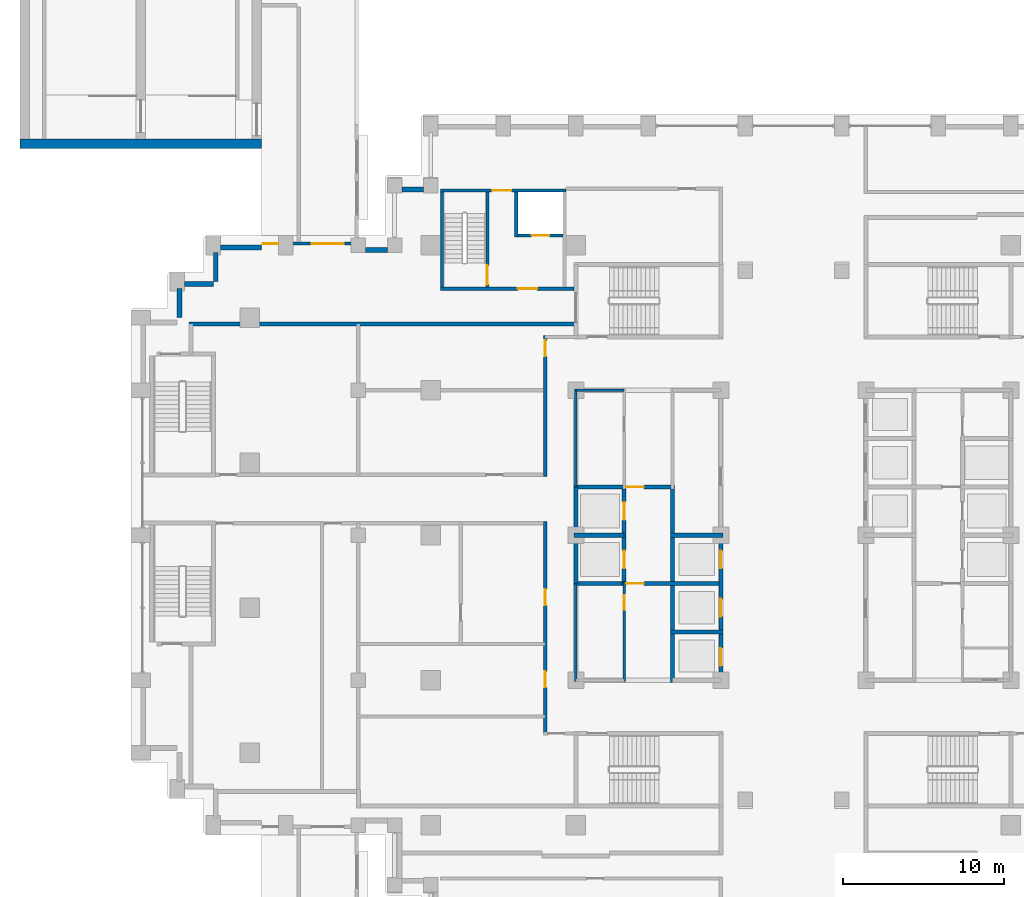
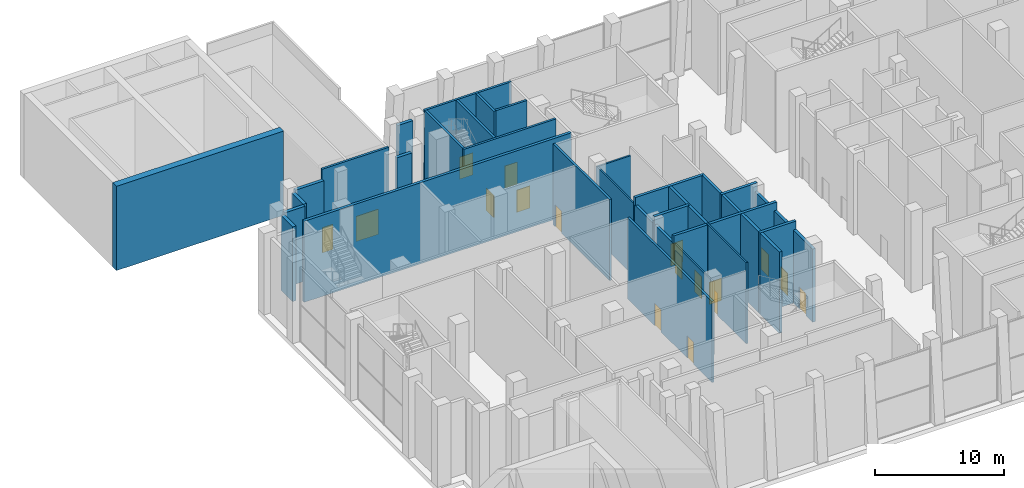
# One storey, part 12 of 24: 30 walls, 17 doors, 17 openings.
"""IFC4 building model written with IfcOpenShell, lengths in metres."""

from ifc_helpers import new_model, si_unit, direction, frame, frame_2d, origin, place, context, subcontext, project, spatial, rectangle, extrude, material, layer, layer_set, type_object, element, fill, save


model = new_model("IFC4")

# Units and contexts
model_context = context("Model", 3, precision=1e-05, world=origin(), true_north=direction((0.0, 1.0)))
body_context = subcontext(model_context, "Body", "Model", "MODEL_VIEW")
ifc_project = project(units=[si_unit("LENGTHUNIT", "METRE"), si_unit("AREAUNIT", "SQUARE_METRE"), si_unit("VOLUMEUNIT", "CUBIC_METRE"), si_unit("PLANEANGLEUNIT", "RADIAN"), si_unit("MASSUNIT", "GRAM", prefix="KILO")], contexts=[model_context])

# Site, building, storey
site_placement = place(None, origin())
site = spatial("IfcSite", under=ifc_project, at=site_placement, CompositionType="ELEMENT")
building_placement = place(site_placement, origin())
building = spatial("IfcBuilding", under=site, at=building_placement, Name="Corbelhall Arena Tower", CompositionType="ELEMENT")
storey_placement = place(building_placement, frame((0.0, 0.0, 60.0)))
storey = spatial("IfcBuildingStorey", under=building, at=storey_placement, Name="L08", CompositionType="ELEMENT", Elevation=60.0)

# Wall
ifc_material_1 = material(Name="Concrete C80/95", Category="concrete")
ifc_layer_1 = layer(ifc_material_1, 0.60009765625)
ifc_layer_set_1 = layer_set([ifc_layer_1], Name="AR-CORE-WALL-L08")
wall_type_1 = type_object("IfcWallType", Name="AR-CORE-WALL-L08", PredefinedType="SHEAR", material=ifc_layer_set_1)
wall_1_placement = place(storey_placement, frame((-48.0, 24.300048828125, 0.0), z_axis=(0.0, 0.0, 1.0), x_axis=(1.0, 0.0, 0.0)))
element("IfcWall", 1, at=wall_1_placement, inside=storey, type_object=wall_type_1, Name="Core NW wall", PredefinedType="SHEAR", context=body_context, shape_type="SweptSolid", body=[
    extrude(rectangle(XDim=15.0, YDim=0.60009765625, at=frame_2d((7.5, 0.0))), origin(), (0.0, 0.0, 1.0), 8.0),
])

# Wall, openings, doors
ifc_material_2 = material(Name="Reinforced concrete C40/50", Category="concrete")
ifc_layer_2 = layer(ifc_material_2, 0.199951171875)
ifc_layer_set_2 = layer_set([ifc_layer_2], Name="AR-LINK-WALL")
wall_type_2 = type_object("IfcWallType", Name="AR-LINK-WALL", PredefinedType="SOLIDWALL", material=ifc_layer_set_2)
wall_2_placement = place(storey_placement, frame((-33.0, 18.10009765625, 0.0), z_axis=(0.0, 0.0, 1.0), x_axis=(1.0, 0.0, 0.0)))
wall_2 = element("IfcWall", 2, at=wall_2_placement, inside=storey, type_object=wall_type_2, Name="Gallery LK2 end wall", PredefinedType="SOLIDWALL", context=body_context, shape_type="SweptSolid", body=[
    extrude(rectangle(XDim=6.0, YDim=0.199951171875, at=frame_2d((3.0, 0.0))), origin(), (0.0, 0.0, 1.0), 8.0),
])
opening_1_placement = place(wall_2_placement, frame((3.10009765625, 0.0, 0.0)))
opening_1 = element("IfcOpeningElement", 3, at=opening_1_placement, cuts=wall_2, Name="Opening DA0299", PredefinedType="OPENING", context=body_context, shape_type="SweptSolid", body=[
    extrude(rectangle(XDim=2.0, YDim=2.39990234375, at=frame_2d((1.0, 1.199951171875))), frame((0.0, 0.10009765625, 0.0), z_axis=(0.0, -1.0, 0.0), x_axis=(1.0, 0.0, 0.0)), (0.0, 0.0, 1.0), 0.199951171875),
])
opening_2_placement = place(wall_2_placement, frame((0.070068359375, 0.0, 0.0)))
opening_2 = element("IfcOpeningElement", 4, at=opening_2_placement, cuts=wall_2, Name="Opening DA0300", PredefinedType="OPENING", context=body_context, shape_type="SweptSolid", body=[
    extrude(rectangle(XDim=0.949951171875, YDim=2.39990234375, at=frame_2d((0.47509765625, 1.199951171875))), frame((0.0, 0.10009765625, 0.0), z_axis=(0.0, -1.0, 0.0), x_axis=(1.0, 0.0, 0.0)), (0.0, 0.0, 1.0), 0.199951171875),
])
ifc_material_3 = material(Name="Steel and glass", Category="steel")
door_type_1 = type_object("IfcDoorType", Name="AR-EXIT-DOOR", OperationType="DOUBLE_DOOR_SINGLE_SWING", PredefinedType="DOOR", material=ifc_material_3)
door_1_placement = place(opening_1_placement, frame((2.0, 0.0, 0.0), z_axis=(0.0, 0.0, 1.0), x_axis=(-1.0, 0.0, 0.0)))
door_1 = element("IfcDoor", 5, at=door_1_placement, inside=storey, type_object=door_type_1, Name="Gallery LK2 public door", OperationType="DOUBLE_DOOR_SINGLE_SWING", OverallHeight=2.39990234375, OverallWidth=2.0, PredefinedType="DOOR", context=body_context, shape_type="SweptSolid", body=[
    extrude(rectangle(XDim=2.0, YDim=2.39990234375, at=frame_2d((1.0, 1.199951171875))), frame((0.0, 0.02490234375, 0.0), z_axis=(0.0, -1.0, 0.0), x_axis=(1.0, 0.0, 0.0)), (0.0, 0.0, 1.0), 0.050048828125),
])
fill(opening_1, door_1)
ifc_material_4 = material(Name="Steel door set", Category="steel")
door_type_2 = type_object("IfcDoorType", Name="AR-EXIT-DOOR-1", OperationType="SINGLE_SWING_LEFT", PredefinedType="DOOR", material=ifc_material_4)
door_2_placement = place(opening_2_placement, frame((0.949951171875, 0.0, 0.0), z_axis=(0.0, 0.0, 1.0), x_axis=(-1.0, 0.0, 0.0)))
door_2 = element("IfcDoor", 6, at=door_2_placement, inside=storey, type_object=door_type_2, Name="Gallery LK2 exit door", OperationType="SINGLE_SWING_LEFT", OverallHeight=2.39990234375, OverallWidth=0.949951171875, PredefinedType="DOOR", context=body_context, shape_type="SweptSolid", body=[
    extrude(rectangle(XDim=0.949951171875, YDim=2.39990234375, at=frame_2d((0.47509765625, 1.199951171875))), frame((0.0, 0.02490234375, 0.0), z_axis=(0.0, -1.0, 0.0), x_axis=(1.0, 0.0, 0.0)), (0.0, 0.0, 1.0), 0.050048828125),
])
fill(opening_2, door_2)

# Walls
ifc_material_5 = material(Name="Precast concrete C40/50 with granite facing", Category="masonry")
ifc_layer_3 = layer(ifc_material_5, 0.300048828125)
ifc_layer_set_3 = layer_set([ifc_layer_3], Name="EV-IW1 Infill panel 300")
wall_type_3 = type_object("IfcWallType", Name="EV-IW1 Infill panel 300", PredefinedType="SOLIDWALL", material=ifc_layer_set_3)
for number, where, z_axis, x_axis, name in (
    (7, (-35.85009765625, 17.550048828125, 0.0), (0.0, 0.0, 1.0), (0.0, -1.0, 0.0), "Infill panel IW1"),
    (8, (-37.800048828125, 15.60009765625, 0.0), (0.0, 0.0, 1.0), (1.0, 0.0, 0.0), "Infill panel IW1"),
    (9, (-38.10009765625, 15.300048828125, 0.0), (0.0, 0.0, 1.0), (0.0, -1.0, 0.0), "Infill panel IW1"),
):
    element("IfcWall", number, at=place(storey_placement, frame(where, z_axis=z_axis, x_axis=x_axis)), inside=storey, type_object=wall_type_3, Name=name, PredefinedType="SOLIDWALL", context=body_context, shape_type="SweptSolid", body=[
        extrude(rectangle(XDim=1.800048828125, YDim=0.300048828125, at=frame_2d((0.89990234375, 0.0))), origin(), (0.0, 0.0, 1.0), 7.10009765625),
    ])
for number, where, z_axis, x_axis, name in (
    (10, (-22.949951171875, 21.449951171875, 0.0), (0.0, 0.0, 1.0), (-1.0, 0.0, 0.0), "Infill panel IW1"),
    (11, (-25.199951171875, 17.699951171875, 0.0), (0.0, 0.0, 1.0), (-1.0, 0.0, 0.0), "Infill panel IW1"),
):
    element("IfcWall", number, at=place(storey_placement, frame(where, z_axis=z_axis, x_axis=x_axis)), inside=storey, type_object=wall_type_3, Name=name, PredefinedType="SOLIDWALL", context=body_context, shape_type="SweptSolid", body=[
        extrude(rectangle(XDim=1.35009765625, YDim=0.300048828125, at=frame_2d((0.675048828125, 0.0))), origin(), (0.0, 0.0, 1.0), 7.10009765625),
    ])
wall_3_placement = place(storey_placement, frame((-33.0, 17.85009765625, 0.0), z_axis=(0.0, 0.0, 1.0), x_axis=(-1.0, 0.0, 0.0)))
element("IfcWall", 12, at=wall_3_placement, inside=storey, type_object=wall_type_3, Name="Infill panel IW1", PredefinedType="SOLIDWALL", context=body_context, shape_type="SweptSolid", body=[
    extrude(rectangle(XDim=2.550048828125, YDim=0.300048828125, at=frame_2d((1.27490234375, 0.0))), origin(), (0.0, 0.0, 1.0), 7.10009765625),
])

# Wall, openings, doors
ifc_material_6 = material(Name="Gypsum board on steel stud, acoustic", Category="steel")
ifc_layer_4 = layer(ifc_material_6, 0.199951171875)
ifc_layer_set_4 = layer_set([ifc_layer_4], Name="IN-W-DM200")
wall_type_4 = type_object("IfcWallType", Name="IN-W-DM200", PredefinedType="PARTITIONING", material=ifc_layer_set_4)
wall_4_placement = place(storey_placement, frame((-15.39990234375, -12.300048828125, 0.0), z_axis=(0.0, 0.0, 1.0), x_axis=(0.0, 1.0, 0.0)))
wall_4 = element("IfcWall", 13, at=wall_4_placement, inside=storey, type_object=wall_type_4, Name="Partition 010", PredefinedType="PARTITIONING", context=body_context, shape_type="SweptSolid", body=[
    extrude(rectangle(XDim=13.150146484375, YDim=0.199951171875, at=frame_2d((6.5751953125, 0.0))), origin(), (0.0, 0.0, 1.0), 7.699951171875),
])
opening_3_placement = place(wall_4_placement, frame((2.85009765625, 0.0, 0.0)))
opening_3 = element("IfcOpeningElement", 14, at=opening_3_placement, cuts=wall_4, Name="Opening 25027", PredefinedType="OPENING", context=body_context, shape_type="SweptSolid", body=[
    extrude(rectangle(XDim=1.0, YDim=2.10009765625, at=frame_2d((0.5, 1.050048828125))), frame((0.0, 0.10009765625, 0.0), z_axis=(0.0, -1.0, 0.0), x_axis=(1.0, 0.0, 0.0)), (0.0, 0.0, 1.0), 0.199951171875),
])
opening_4_placement = place(wall_4_placement, frame((7.949951171875, 0.0, 0.0)))
opening_4 = element("IfcOpeningElement", 15, at=opening_4_placement, cuts=wall_4, Name="Opening 25028", PredefinedType="OPENING", context=body_context, shape_type="SweptSolid", body=[
    extrude(rectangle(XDim=1.0, YDim=2.10009765625, at=frame_2d((0.5, 1.050048828125))), frame((0.0, 0.10009765625, 0.0), z_axis=(0.0, -1.0, 0.0), x_axis=(1.0, 0.0, 0.0)), (0.0, 0.0, 1.0), 0.199951171875),
])
door_type_3 = type_object("IfcDoorType", Name="IN-D-SW100", OperationType="NOTDEFINED", PredefinedType="DOOR", material=ifc_material_4)
door_3_placement = place(opening_3_placement, origin())
door_3 = element("IfcDoor", 16, at=door_3_placement, inside=storey, type_object=door_type_3, Name="Door 027", OperationType="SINGLE_SWING_RIGHT", OverallHeight=2.10009765625, OverallWidth=1.0, PredefinedType="DOOR", context=body_context, shape_type="SweptSolid", body=[
    extrude(rectangle(XDim=1.0, YDim=2.10009765625, at=frame_2d((0.5, 1.050048828125))), frame((0.0, 0.02490234375, 0.0), z_axis=(0.0, -1.0, 0.0), x_axis=(1.0, 0.0, 0.0)), (0.0, 0.0, 1.0), 0.050048828125),
])
fill(opening_3, door_3)
door_4_placement = place(opening_4_placement, origin())
door_4 = element("IfcDoor", 17, at=door_4_placement, inside=storey, type_object=door_type_3, Name="Door 028", OperationType="SINGLE_SWING_LEFT", OverallHeight=2.10009765625, OverallWidth=1.0, PredefinedType="DOOR", context=body_context, shape_type="SweptSolid", body=[
    extrude(rectangle(XDim=1.0, YDim=2.10009765625, at=frame_2d((0.5, 1.050048828125))), frame((0.0, 0.02490234375, 0.0), z_axis=(0.0, -1.0, 0.0), x_axis=(1.0, 0.0, 0.0)), (0.0, 0.0, 1.0), 0.050048828125),
])
fill(opening_4, door_4)

# Wall, opening, door
wall_5_placement = place(storey_placement, frame((-15.39990234375, 3.64990234375, 0.0), z_axis=(0.0, 0.0, 1.0), x_axis=(0.0, 1.0, 0.0)))
wall_5 = element("IfcWall", 18, at=wall_5_placement, inside=storey, type_object=wall_type_4, Name="Partition 011", PredefinedType="PARTITIONING", context=body_context, shape_type="SweptSolid", body=[
    extrude(rectangle(XDim=8.75, YDim=0.199951171875, at=frame_2d((4.375, 0.0))), origin(), (0.0, 0.0, 1.0), 7.699951171875),
])
opening_5_placement = place(wall_5_placement, frame((7.449951171875, 0.0, 0.0)))
opening_5 = element("IfcOpeningElement", 19, at=opening_5_placement, cuts=wall_5, Name="Opening 25025", PredefinedType="OPENING", context=body_context, shape_type="SweptSolid", body=[
    extrude(rectangle(XDim=1.0, YDim=2.10009765625, at=frame_2d((0.5, 1.050048828125))), frame((0.0, 0.10009765625, 0.0), z_axis=(0.0, -1.0, 0.0), x_axis=(1.0, 0.0, 0.0)), (0.0, 0.0, 1.0), 0.199951171875),
])
door_5_placement = place(opening_5_placement, origin())
door_5 = element("IfcDoor", 20, at=door_5_placement, inside=storey, type_object=door_type_3, Name="Door 025", OperationType="SINGLE_SWING_RIGHT", OverallHeight=2.10009765625, OverallWidth=1.0, PredefinedType="DOOR", context=body_context, shape_type="SweptSolid", body=[
    extrude(rectangle(XDim=1.0, YDim=2.10009765625, at=frame_2d((0.5, 1.050048828125))), frame((0.0, 0.02490234375, 0.0), z_axis=(0.0, -1.0, 0.0), x_axis=(1.0, 0.0, 0.0)), (0.0, 0.0, 1.0), 0.050048828125),
])
fill(opening_5, door_5)

ifc_material_7 = material(Name="Concrete C40/50", Category="concrete")
ifc_layer_5 = layer(ifc_material_7, 0.199951171875)
ifc_layer_set_5 = layer_set([ifc_layer_5], Name="IN-W-EAR200")
wall_type_5 = type_object("IfcWallType", Name="IN-W-EAR200", PredefinedType="SOLIDWALL", material=ifc_layer_set_5)
wall_6_placement = place(storey_placement, frame((-21.89990234375, 15.300048828125, 0.0), z_axis=(0.0, 0.0, 1.0), x_axis=(1.0, 0.0, 0.0)))
wall_6 = element("IfcWall", 21, at=wall_6_placement, inside=storey, type_object=wall_type_5, Name="Fire service turret wall south", PredefinedType="SOLIDWALL", context=body_context, shape_type="SweptSolid", body=[
    extrude(rectangle(XDim=8.27490234375, YDim=0.199951171875, at=frame_2d((4.137451171875, 0.0))), origin(), (0.0, 0.0, 1.0), 7.699951171875),
])
opening_6_placement = place(wall_6_placement, frame((4.800048828125, 0.0, 0.0)))
opening_6 = element("IfcOpeningElement", 22, at=opening_6_placement, cuts=wall_6, Name="Opening E252", PredefinedType="OPENING", context=body_context, shape_type="SweptSolid", body=[
    extrude(rectangle(XDim=1.199951171875, YDim=2.10009765625, at=frame_2d((0.60009765625, 1.050048828125))), frame((0.0, 0.10009765625, 0.0), z_axis=(0.0, -1.0, 0.0), x_axis=(1.0, 0.0, 0.0)), (0.0, 0.0, 1.0), 0.199951171875),
])
door_type_4 = type_object("IfcDoorType", Name="IN-D-ST120", OperationType="NOTDEFINED", PredefinedType="DOOR", material=ifc_material_4)
door_6_placement = place(opening_6_placement, origin())
door_6 = element("IfcDoor", 23, at=door_6_placement, inside=storey, type_object=door_type_4, Name="Door from fire service lift lobby to circulation", OperationType="SINGLE_SWING_RIGHT", OverallHeight=2.10009765625, OverallWidth=1.199951171875, PredefinedType="DOOR", context=body_context, shape_type="SweptSolid", body=[
    extrude(rectangle(XDim=1.199951171875, YDim=2.10009765625, at=frame_2d((0.60009765625, 1.050048828125))), frame((0.0, 0.02490234375, 0.0), z_axis=(0.0, -1.0, 0.0), x_axis=(1.0, 0.0, 0.0)), (0.0, 0.0, 1.0), 0.050048828125),
])
fill(opening_6, door_6)

wall_7_placement = place(storey_placement, frame((-21.89990234375, 21.39990234375, 0.0), z_axis=(0.0, 0.0, 1.0), x_axis=(1.0, 0.0, 0.0)))
wall_7 = element("IfcWall", 24, at=wall_7_placement, inside=storey, type_object=wall_type_5, Name="Fire service turret wall north", PredefinedType="SOLIDWALL", context=body_context, shape_type="SweptSolid", body=[
    extrude(rectangle(XDim=7.7998046875, YDim=0.199951171875, at=frame_2d((3.89990234375, 0.0))), origin(), (0.0, 0.0, 1.0), 7.699951171875),
])
opening_7_placement = place(wall_7_placement, frame((3.199951171875, 0.0, 0.0)))
opening_7 = element("IfcOpeningElement", 25, at=opening_7_placement, cuts=wall_7, Name="Opening E253", PredefinedType="OPENING", context=body_context, shape_type="SweptSolid", body=[
    extrude(rectangle(XDim=1.199951171875, YDim=2.10009765625, at=frame_2d((0.60009765625, 1.050048828125))), frame((0.0, 0.10009765625, 0.0), z_axis=(0.0, -1.0, 0.0), x_axis=(1.0, 0.0, 0.0)), (0.0, 0.0, 1.0), 0.199951171875),
])
door_7_placement = place(opening_7_placement, origin())
door_7 = element("IfcDoor", 26, at=door_7_placement, inside=storey, type_object=door_type_4, Name="Door from fire service lift lobby to the north gallery", OperationType="SINGLE_SWING_LEFT", OverallHeight=2.10009765625, OverallWidth=1.199951171875, PredefinedType="DOOR", context=body_context, shape_type="SweptSolid", body=[
    extrude(rectangle(XDim=1.199951171875, YDim=2.10009765625, at=frame_2d((0.60009765625, 1.050048828125))), frame((0.0, 0.02490234375, 0.0), z_axis=(0.0, -1.0, 0.0), x_axis=(1.0, 0.0, 0.0)), (0.0, 0.0, 1.0), 0.050048828125),
])
fill(opening_7, door_7)

# Wall
wall_8_placement = place(storey_placement, frame((-21.800048828125, 15.39990234375, 0.0), z_axis=(0.0, 0.0, 1.0), x_axis=(0.0, 1.0, 0.0)))
element("IfcWall", 27, at=wall_8_placement, inside=storey, type_object=wall_type_5, Name="Fire service turret wall west", PredefinedType="SOLIDWALL", context=body_context, shape_type="SweptSolid", body=[
    extrude(rectangle(XDim=5.900146484375, YDim=0.199951171875, at=frame_2d((2.9501953125, 0.0))), origin(), (0.0, 0.0, 1.0), 7.699951171875),
])

# Wall, opening, door
wall_9_placement = place(storey_placement, frame((-18.989990234375, 15.39990234375, 0.0), z_axis=(0.0, 0.0, 1.0), x_axis=(0.0, 1.0, 0.0)))
wall_9 = element("IfcWall", 28, at=wall_9_placement, inside=storey, type_object=wall_type_5, Name="Fire service turret wall stair", PredefinedType="SOLIDWALL", context=body_context, shape_type="SweptSolid", body=[
    extrude(rectangle(XDim=5.900146484375, YDim=0.199951171875, at=frame_2d((2.9501953125, 0.0))), origin(), (0.0, 0.0, 1.0), 7.699951171875),
])
opening_8_placement = place(wall_9_placement, frame((0.14990234375, 0.0, 0.0)))
opening_8 = element("IfcOpeningElement", 29, at=opening_8_placement, cuts=wall_9, Name="Opening E251", PredefinedType="OPENING", context=body_context, shape_type="SweptSolid", body=[
    extrude(rectangle(XDim=1.199951171875, YDim=2.10009765625, at=frame_2d((0.60009765625, 1.050048828125))), frame((0.0, 0.10009765625, 0.0), z_axis=(0.0, -1.0, 0.0), x_axis=(1.0, 0.0, 0.0)), (0.0, 0.0, 1.0), 0.199951171875),
])
door_8_placement = place(opening_8_placement, origin())
door_8 = element("IfcDoor", 30, at=door_8_placement, inside=storey, type_object=door_type_4, Name="Stair door to fire service lobby", OperationType="SINGLE_SWING_LEFT", OverallHeight=2.10009765625, OverallWidth=1.199951171875, PredefinedType="DOOR", context=body_context, shape_type="SweptSolid", body=[
    extrude(rectangle(XDim=1.199951171875, YDim=2.10009765625, at=frame_2d((0.60009765625, 1.050048828125))), frame((0.0, 0.02490234375, 0.0), z_axis=(0.0, -1.0, 0.0), x_axis=(1.0, 0.0, 0.0)), (0.0, 0.0, 1.0), 0.050048828125),
])
fill(opening_8, door_8)

# Wall
wall_10_placement = place(storey_placement, frame((-17.199951171875, 18.5, 0.0), z_axis=(0.0, 0.0, 1.0), x_axis=(0.0, 1.0, 0.0)))
element("IfcWall", 31, at=wall_10_placement, inside=storey, type_object=wall_type_5, Name="Fire service turret wall hoistway west", PredefinedType="SOLIDWALL", context=body_context, shape_type="SweptSolid", body=[
    extrude(rectangle(XDim=2.800048828125, YDim=0.199951171875, at=frame_2d((1.39990234375, 0.0))), origin(), (0.0, 0.0, 1.0), 7.699951171875),
])

# Wall, opening, door
wall_11_placement = place(storey_placement, frame((-17.10009765625, 18.60009765625, 0.0), z_axis=(0.0, 0.0, 1.0), x_axis=(1.0, 0.0, 0.0)))
wall_11 = element("IfcWall", 32, at=wall_11_placement, inside=storey, type_object=wall_type_5, Name="Fire service turret wall hoistway south", PredefinedType="SOLIDWALL", context=body_context, shape_type="SweptSolid", body=[
    extrude(rectangle(XDim=2.800048828125, YDim=0.199951171875, at=frame_2d((1.39990234375, 0.0))), origin(), (0.0, 0.0, 1.0), 7.699951171875),
])
opening_9_placement = place(wall_11_placement, frame((0.85009765625, 0.0, 0.0)))
opening_9 = element("IfcOpeningElement", 33, at=opening_9_placement, cuts=wall_11, Name="Opening LD", PredefinedType="OPENING", context=body_context, shape_type="SweptSolid", body=[
    extrude(rectangle(XDim=1.10009765625, YDim=2.10009765625, at=frame_2d((0.550048828125, 1.050048828125))), frame((0.0, 0.10009765625, 0.0), z_axis=(0.0, -1.0, 0.0), x_axis=(1.0, 0.0, 0.0)), (0.0, 0.0, 1.0), 0.199951171875),
])
door_type_5 = type_object("IfcDoorType", Name="IN-D-LD110", OperationType="NOTDEFINED", PredefinedType="DOOR", material=ifc_material_4)
door_9_placement = place(opening_9_placement, origin())
door_9 = element("IfcDoor", 34, at=door_9_placement, inside=storey, type_object=door_type_5, Name="Landing door FS1", OperationType="SLIDING_TO_LEFT", OverallHeight=2.10009765625, OverallWidth=1.10009765625, PredefinedType="DOOR", context=body_context, shape_type="SweptSolid", body=[
    extrude(rectangle(XDim=1.10009765625, YDim=2.10009765625, at=frame_2d((0.550048828125, 1.050048828125))), frame((0.0, 0.02490234375, 0.0), z_axis=(0.0, -1.0, 0.0), x_axis=(1.0, 0.0, 0.0)), (0.0, 0.0, 1.0), 0.050048828125),
])
fill(opening_9, door_9)

# Walls
ifc_layer_6 = layer(ifc_material_7, 0.25)
ifc_layer_set_6 = layer_set([ifc_layer_6], Name="IN-W-SH250")
wall_type_6 = type_object("IfcWallType", Name="IN-W-SH250", PredefinedType="SOLIDWALL", material=ifc_layer_set_6)
wall_12_placement = place(storey_placement, frame((-13.5, 13.10009765625, 0.0), z_axis=(0.0, 0.0, 1.0), x_axis=(-1.0, 0.0, 0.0)))
element("IfcWall", 35, at=wall_12_placement, inside=storey, type_object=wall_type_6, Name="Shaft wall 052", PredefinedType="SOLIDWALL", context=body_context, shape_type="SweptSolid", body=[
    extrude(rectangle(XDim=24.02490234375, YDim=0.25, at=frame_2d((12.012451171875, 0.0))), origin(), (0.0, 0.0, 1.0), 7.699951171875),
])
wall_13_placement = place(storey_placement, frame((-13.625, 0.0, 0.0), z_axis=(0.0, 0.0, 1.0), x_axis=(1.0, 0.0, 0.0)))
element("IfcWall", 36, at=wall_13_placement, inside=storey, type_object=wall_type_6, Name="Shaft wall 055", PredefinedType="SOLIDWALL", context=body_context, shape_type="SweptSolid", body=[
    extrude(rectangle(XDim=3.125, YDim=0.25, at=frame_2d((1.5625, 0.0))), origin(), (0.0, 0.0, 1.0), 7.699951171875),
])

# Wall, opening, door
wall_14_placement = place(storey_placement, frame((-13.625, 3.0, 0.0), z_axis=(0.0, 0.0, 1.0), x_axis=(1.0, 0.0, 0.0)))
wall_14 = element("IfcWall", 37, at=wall_14_placement, inside=storey, type_object=wall_type_6, Name="Shaft wall 056", PredefinedType="SOLIDWALL", context=body_context, shape_type="SweptSolid", body=[
    extrude(rectangle(XDim=6.125, YDim=0.25, at=frame_2d((3.0625, 0.0))), origin(), (0.0, 0.0, 1.0), 7.699951171875),
])
opening_10_placement = place(wall_14_placement, frame((3.25, 0.0, 0.0)))
opening_10 = element("IfcOpeningElement", 38, at=opening_10_placement, cuts=wall_14, Name="Opening 25003", PredefinedType="OPENING", context=body_context, shape_type="SweptSolid", body=[
    extrude(rectangle(XDim=1.10009765625, YDim=2.10009765625, at=frame_2d((0.550048828125, 1.050048828125))), frame((0.0, 0.125, 0.0), z_axis=(0.0, -1.0, 0.0), x_axis=(1.0, 0.0, 0.0)), (0.0, 0.0, 1.0), 0.25),
])
door_type_6 = type_object("IfcDoorType", Name="IN-D-FD110", OperationType="NOTDEFINED", PredefinedType="DOOR", material=ifc_material_4)
door_10_placement = place(opening_10_placement, origin())
door_10 = element("IfcDoor", 39, at=door_10_placement, inside=storey, type_object=door_type_6, Name="Door 003", OperationType="SINGLE_SWING_RIGHT", OverallHeight=2.10009765625, OverallWidth=1.10009765625, PredefinedType="DOOR", context=body_context, shape_type="SweptSolid", body=[
    extrude(rectangle(XDim=1.10009765625, YDim=2.10009765625, at=frame_2d((0.550048828125, 1.050048828125))), frame((0.0, 0.02490234375, 0.0), z_axis=(0.0, -1.0, 0.0), x_axis=(1.0, 0.0, 0.0)), (0.0, 0.0, 1.0), 0.050048828125),
])
fill(opening_10, door_10)

wall_15_placement = place(storey_placement, frame((-13.625, -3.0, 0.0), z_axis=(0.0, 0.0, 1.0), x_axis=(1.0, 0.0, 0.0)))
wall_15 = element("IfcWall", 40, at=wall_15_placement, inside=storey, type_object=wall_type_6, Name="Shaft wall 059", PredefinedType="SOLIDWALL", context=body_context, shape_type="SweptSolid", body=[
    extrude(rectangle(XDim=9.25, YDim=0.25, at=frame_2d((4.625, 0.0))), origin(), (0.0, 0.0, 1.0), 7.699951171875),
])
opening_11_placement = place(wall_15_placement, frame((3.25, 0.0, 0.0)))
opening_11 = element("IfcOpeningElement", 41, at=opening_11_placement, cuts=wall_15, Name="Opening 25002", PredefinedType="OPENING", context=body_context, shape_type="SweptSolid", body=[
    extrude(rectangle(XDim=1.10009765625, YDim=2.10009765625, at=frame_2d((0.550048828125, 1.050048828125))), frame((0.0, 0.125, 0.0), z_axis=(0.0, -1.0, 0.0), x_axis=(1.0, 0.0, 0.0)), (0.0, 0.0, 1.0), 0.25),
])
door_11_placement = place(opening_11_placement, origin())
door_11 = element("IfcDoor", 42, at=door_11_placement, inside=storey, type_object=door_type_6, Name="Door 002", OperationType="SINGLE_SWING_LEFT", OverallHeight=2.10009765625, OverallWidth=1.10009765625, PredefinedType="DOOR", context=body_context, shape_type="SweptSolid", body=[
    extrude(rectangle(XDim=1.10009765625, YDim=2.10009765625, at=frame_2d((0.550048828125, 1.050048828125))), frame((0.0, 0.02490234375, 0.0), z_axis=(0.0, -1.0, 0.0), x_axis=(1.0, 0.0, 0.0)), (0.0, 0.0, 1.0), 0.050048828125),
])
fill(opening_11, door_11)

# Wall, openings, doors
wall_16_placement = place(storey_placement, frame((-10.5, -3.125, 0.0), z_axis=(0.0, 0.0, 1.0), x_axis=(0.0, 1.0, 0.0)))
wall_16 = element("IfcWall", 43, at=wall_16_placement, inside=storey, type_object=wall_type_6, Name="Shaft wall 060", PredefinedType="SOLIDWALL", context=body_context, shape_type="SweptSolid", body=[
    extrude(rectangle(XDim=6.25, YDim=0.25, at=frame_2d((3.125, 0.0))), origin(), (0.0, 0.0, 1.0), 7.699951171875),
])
opening_12_placement = place(wall_16_placement, frame((1.074951171875, 0.0, 0.0)))
opening_12 = element("IfcOpeningElement", 44, at=opening_12_placement, cuts=wall_16, Name="Opening LD", PredefinedType="OPENING", context=body_context, shape_type="SweptSolid", body=[
    extrude(rectangle(XDim=1.10009765625, YDim=2.10009765625, at=frame_2d((0.550048828125, 1.050048828125))), frame((0.0, 0.125, 0.0), z_axis=(0.0, -1.0, 0.0), x_axis=(1.0, 0.0, 0.0)), (0.0, 0.0, 1.0), 0.25),
])
opening_13_placement = place(wall_16_placement, frame((4.074951171875, 0.0, 0.0)))
opening_13 = element("IfcOpeningElement", 45, at=opening_13_placement, cuts=wall_16, Name="Opening LD", PredefinedType="OPENING", context=body_context, shape_type="SweptSolid", body=[
    extrude(rectangle(XDim=1.10009765625, YDim=2.10009765625, at=frame_2d((0.550048828125, 1.050048828125))), frame((0.0, 0.125, 0.0), z_axis=(0.0, -1.0, 0.0), x_axis=(1.0, 0.0, 0.0)), (0.0, 0.0, 1.0), 0.25),
])
door_12_placement = place(opening_12_placement, origin())
door_12 = element("IfcDoor", 46, at=door_12_placement, inside=storey, type_object=door_type_5, Name="Landing door W3", OperationType="SLIDING_TO_LEFT", OverallHeight=2.10009765625, OverallWidth=1.10009765625, PredefinedType="DOOR", context=body_context, shape_type="SweptSolid", body=[
    extrude(rectangle(XDim=1.10009765625, YDim=2.10009765625, at=frame_2d((0.550048828125, 1.050048828125))), frame((0.0, 0.02490234375, 0.0), z_axis=(0.0, -1.0, 0.0), x_axis=(1.0, 0.0, 0.0)), (0.0, 0.0, 1.0), 0.050048828125),
])
fill(opening_12, door_12)
door_13_placement = place(opening_13_placement, origin())
door_13 = element("IfcDoor", 47, at=door_13_placement, inside=storey, type_object=door_type_5, Name="Landing door W4", OperationType="SLIDING_TO_LEFT", OverallHeight=2.10009765625, OverallWidth=1.10009765625, PredefinedType="DOOR", context=body_context, shape_type="SweptSolid", body=[
    extrude(rectangle(XDim=1.10009765625, YDim=2.10009765625, at=frame_2d((0.550048828125, 1.050048828125))), frame((0.0, 0.02490234375, 0.0), z_axis=(0.0, -1.0, 0.0), x_axis=(1.0, 0.0, 0.0)), (0.0, 0.0, 1.0), 0.050048828125),
])
fill(opening_13, door_13)

# Walls
for number, where, z_axis, x_axis, name in (
    (48, (-7.625, -6.0, 0.0), (0.0, 0.0, 1.0), (1.0, 0.0, 0.0), "Shaft wall 061"),
    (49, (-7.625, 0.0, 0.0), (0.0, 0.0, 1.0), (1.0, 0.0, 0.0), "Shaft wall 062"),
):
    element("IfcWall", number, at=place(storey_placement, frame(where, z_axis=z_axis, x_axis=x_axis)), inside=storey, type_object=wall_type_6, Name=name, PredefinedType="SOLIDWALL", context=body_context, shape_type="SweptSolid", body=[
        extrude(rectangle(XDim=3.25, YDim=0.25, at=frame_2d((1.625, 0.0))), origin(), (0.0, 0.0, 1.0), 7.699951171875),
    ])
wall_17_placement = place(storey_placement, frame((-7.5, -9.125, 0.0), z_axis=(0.0, 0.0, 1.0), x_axis=(0.0, 1.0, 0.0)))
element("IfcWall", 50, at=wall_17_placement, inside=storey, type_object=wall_type_6, Name="Shaft wall 063", PredefinedType="SOLIDWALL", context=body_context, shape_type="SweptSolid", body=[
    extrude(rectangle(XDim=12.25, YDim=0.25, at=frame_2d((6.125, 0.0))), origin(), (0.0, 0.0, 1.0), 7.699951171875),
])
ifc_layer_7 = layer(ifc_material_7, 0.25)
ifc_layer_set_7 = layer_set([ifc_layer_7], Name="IN-W-SH250 under beam 762 mm")
wall_type_7 = type_object("IfcWallType", Name="IN-W-SH250 under beam 762 mm", PredefinedType="SOLIDWALL", material=ifc_layer_set_7)
wall_18_placement = place(storey_placement, frame((-13.5, -3.0, 0.0), z_axis=(0.0, 0.0, 1.0), x_axis=(0.0, 1.0, 0.0)))
element("IfcWall", 51, at=wall_18_placement, inside=storey, type_object=wall_type_7, Name="Shaft wall 057", PredefinedType="SOLIDWALL", context=body_context, shape_type="SweptSolid", body=[
    extrude(rectangle(XDim=6.0, YDim=0.25, at=frame_2d((3.0, 0.0))), origin(), (0.0, 0.0, 1.0), 6.93798828125),
])

# Wall, openings, doors
wall_19_placement = place(storey_placement, frame((-4.5, 0.0, 0.0), z_axis=(0.0, 0.0, 1.0), x_axis=(0.0, -1.0, 0.0)))
wall_19 = element("IfcWall", 52, at=wall_19_placement, inside=storey, type_object=wall_type_7, Name="Shaft wall 067", PredefinedType="SOLIDWALL", context=body_context, shape_type="SweptSolid", body=[
    extrude(rectangle(XDim=9.125, YDim=0.25, at=frame_2d((4.5625, 0.0))), origin(), (0.0, 0.0, 1.0), 6.93798828125),
])
opening_14_placement = place(wall_19_placement, frame((7.012451171875, 0.0, 0.0)))
opening_14 = element("IfcOpeningElement", 53, at=opening_14_placement, cuts=wall_19, Name="Opening LD", PredefinedType="OPENING", context=body_context, shape_type="SweptSolid", body=[
    extrude(rectangle(XDim=1.10009765625, YDim=2.10009765625, at=frame_2d((0.550048828125, 1.050048828125))), frame((0.0, 0.125, 0.0), z_axis=(0.0, -1.0, 0.0), x_axis=(1.0, 0.0, 0.0)), (0.0, 0.0, 1.0), 0.25),
])
opening_15_placement = place(wall_19_placement, frame((3.949951171875, 0.0, 0.0)))
opening_15 = element("IfcOpeningElement", 54, at=opening_15_placement, cuts=wall_19, Name="Opening LD", PredefinedType="OPENING", context=body_context, shape_type="SweptSolid", body=[
    extrude(rectangle(XDim=1.10009765625, YDim=2.10009765625, at=frame_2d((0.550048828125, 1.050048828125))), frame((0.0, 0.125, 0.0), z_axis=(0.0, -1.0, 0.0), x_axis=(1.0, 0.0, 0.0)), (0.0, 0.0, 1.0), 0.25),
])
opening_16_placement = place(wall_19_placement, frame((0.949951171875, 0.0, 0.0)))
opening_16 = element("IfcOpeningElement", 55, at=opening_16_placement, cuts=wall_19, Name="Opening LD", PredefinedType="OPENING", context=body_context, shape_type="SweptSolid", body=[
    extrude(rectangle(XDim=1.10009765625, YDim=2.10009765625, at=frame_2d((0.550048828125, 1.050048828125))), frame((0.0, 0.125, 0.0), z_axis=(0.0, -1.0, 0.0), x_axis=(1.0, 0.0, 0.0)), (0.0, 0.0, 1.0), 0.25),
])
door_14_placement = place(opening_14_placement, origin())
door_14 = element("IfcDoor", 56, at=door_14_placement, inside=storey, type_object=door_type_5, Name="Landing door W1", OperationType="SLIDING_TO_LEFT", OverallHeight=2.10009765625, OverallWidth=1.10009765625, PredefinedType="DOOR", context=body_context, shape_type="SweptSolid", body=[
    extrude(rectangle(XDim=1.10009765625, YDim=2.10009765625, at=frame_2d((0.550048828125, 1.050048828125))), frame((0.0, 0.02490234375, 0.0), z_axis=(0.0, -1.0, 0.0), x_axis=(1.0, 0.0, 0.0)), (0.0, 0.0, 1.0), 0.050048828125),
])
fill(opening_14, door_14)
door_15_placement = place(opening_15_placement, origin())
door_15 = element("IfcDoor", 57, at=door_15_placement, inside=storey, type_object=door_type_5, Name="Landing door W2", OperationType="SLIDING_TO_LEFT", OverallHeight=2.10009765625, OverallWidth=1.10009765625, PredefinedType="DOOR", context=body_context, shape_type="SweptSolid", body=[
    extrude(rectangle(XDim=1.10009765625, YDim=2.10009765625, at=frame_2d((0.550048828125, 1.050048828125))), frame((0.0, 0.02490234375, 0.0), z_axis=(0.0, -1.0, 0.0), x_axis=(1.0, 0.0, 0.0)), (0.0, 0.0, 1.0), 0.050048828125),
])
fill(opening_15, door_15)
door_16_placement = place(opening_16_placement, origin())
door_16 = element("IfcDoor", 58, at=door_16_placement, inside=storey, type_object=door_type_5, Name="Landing door W3", OperationType="SLIDING_TO_LEFT", OverallHeight=2.10009765625, OverallWidth=1.10009765625, PredefinedType="DOOR", context=body_context, shape_type="SweptSolid", body=[
    extrude(rectangle(XDim=1.10009765625, YDim=2.10009765625, at=frame_2d((0.550048828125, 1.050048828125))), frame((0.0, 0.02490234375, 0.0), z_axis=(0.0, -1.0, 0.0), x_axis=(1.0, 0.0, 0.0)), (0.0, 0.0, 1.0), 0.050048828125),
])
fill(opening_16, door_16)

# Wall, opening, door
ifc_material_8 = material(Name="Gypsum board on steel stud, moisture resistant", Category="steel")
ifc_layer_8 = layer(ifc_material_8, 0.14990234375)
ifc_layer_set_8 = layer_set([ifc_layer_8], Name="IN-W-WC150")
wall_type_8 = type_object("IfcWallType", Name="IN-W-WC150", PredefinedType="PARTITIONING", material=ifc_layer_set_8)
wall_20_placement = place(storey_placement, frame((-10.5, -9.074951171875, 0.0), z_axis=(0.0, 0.0, 1.0), x_axis=(0.0, 1.0, 0.0)))
wall_20 = element("IfcWall", 59, at=wall_20_placement, inside=storey, type_object=wall_type_8, Name="Partition 126", PredefinedType="PARTITIONING", context=body_context, shape_type="SweptSolid", body=[
    extrude(rectangle(XDim=6.199951171875, YDim=0.14990234375, at=frame_2d((3.10009765625, 0.0))), origin(), (0.0, 0.0, 1.0), 7.699951171875),
])
opening_17_placement = place(wall_20_placement, frame((4.449951171875, 0.0, 0.0)))
opening_17 = element("IfcOpeningElement", 60, at=opening_17_placement, cuts=wall_20, Name="Opening 25004", PredefinedType="OPENING", context=body_context, shape_type="SweptSolid", body=[
    extrude(rectangle(XDim=0.89990234375, YDim=2.10009765625, at=frame_2d((0.449951171875, 1.050048828125))), frame((0.0, 0.074951171875, 0.0), z_axis=(0.0, -1.0, 0.0), x_axis=(1.0, 0.0, 0.0)), (0.0, 0.0, 1.0), 0.14990234375),
])
ifc_material_9 = material(Name="Timber door set", Category="wood")
door_type_7 = type_object("IfcDoorType", Name="IN-D-SW90", OperationType="NOTDEFINED", PredefinedType="DOOR", material=ifc_material_9)
door_17_placement = place(opening_17_placement, origin())
door_17 = element("IfcDoor", 61, at=door_17_placement, inside=storey, type_object=door_type_7, Name="Door 004", OperationType="SINGLE_SWING_LEFT", OverallHeight=2.10009765625, OverallWidth=0.89990234375, PredefinedType="DOOR", context=body_context, shape_type="SweptSolid", body=[
    extrude(rectangle(XDim=0.89990234375, YDim=2.10009765625, at=frame_2d((0.449951171875, 1.050048828125))), frame((0.0, 0.02490234375, 0.0), z_axis=(0.0, -1.0, 0.0), x_axis=(1.0, 0.0, 0.0)), (0.0, 0.0, 1.0), 0.050048828125),
])
fill(opening_17, door_17)

# Walls
ifc_layer_9 = layer(ifc_material_8, 0.14990234375)
ifc_layer_set_9 = layer_set([ifc_layer_9], Name="IN-W-WC150 under beam 762 mm")
wall_type_9 = type_object("IfcWallType", Name="IN-W-WC150 under beam 762 mm", PredefinedType="PARTITIONING", material=ifc_layer_set_9)
for number, where, z_axis, x_axis, name in (
    (62, (-13.5, -9.074951171875, 0.0), (0.0, 0.0, 1.0), (0.0, 1.0, 0.0), "Partition 123"),
    (63, (-13.5, 3.0, 0.0), (0.0, 0.0, 1.0), (0.0, 1.0, 0.0), "Partition 124"),
):
    element("IfcWall", number, at=place(storey_placement, frame(where, z_axis=z_axis, x_axis=x_axis)), inside=storey, type_object=wall_type_9, Name=name, PredefinedType="PARTITIONING", context=body_context, shape_type="SweptSolid", body=[
        extrude(rectangle(XDim=6.074951171875, YDim=0.14990234375, at=frame_2d((3.03759765625, 0.0))), origin(), (0.0, 0.0, 1.0), 6.93798828125),
    ])
wall_21_placement = place(storey_placement, frame((-13.5, 9.0, 0.0), z_axis=(0.0, 0.0, 1.0), x_axis=(1.0, 0.0, 0.0)))
element("IfcWall", 64, at=wall_21_placement, inside=storey, type_object=wall_type_9, Name="Partition 125", PredefinedType="PARTITIONING", context=body_context, shape_type="SweptSolid", body=[
    extrude(rectangle(XDim=3.0, YDim=0.14990234375, at=frame_2d((1.5, 0.0))), origin(), (0.0, 0.0, 1.0), 6.93798828125),
])

save(model, "model.ifc")
